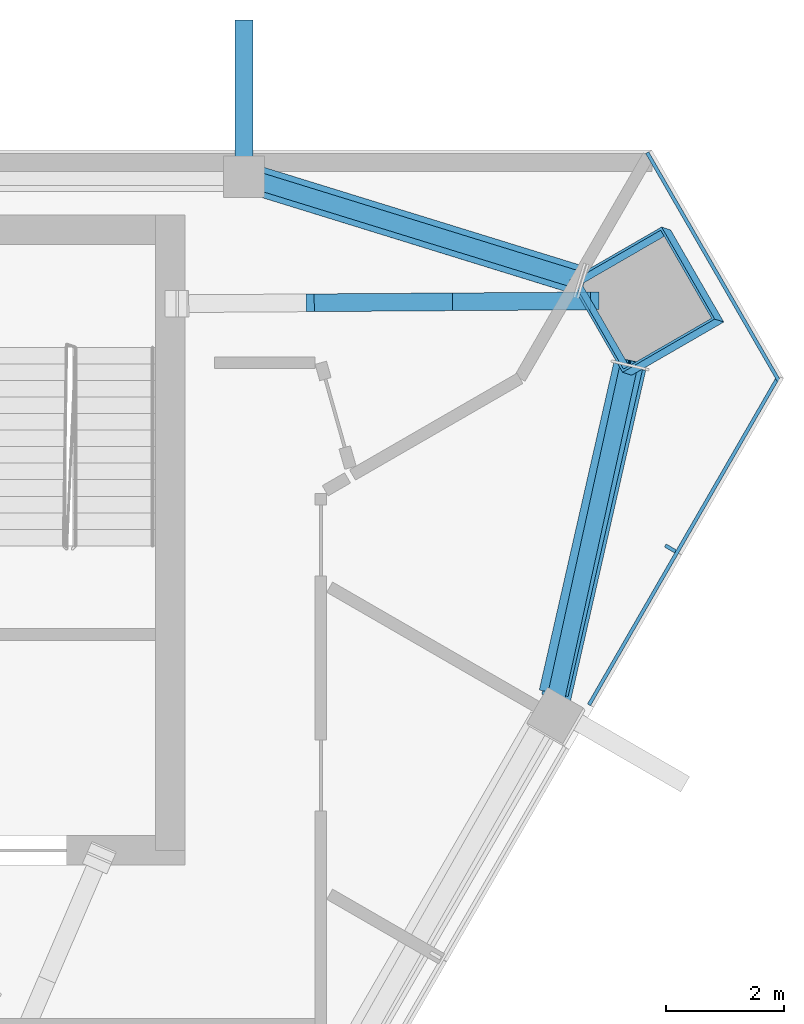
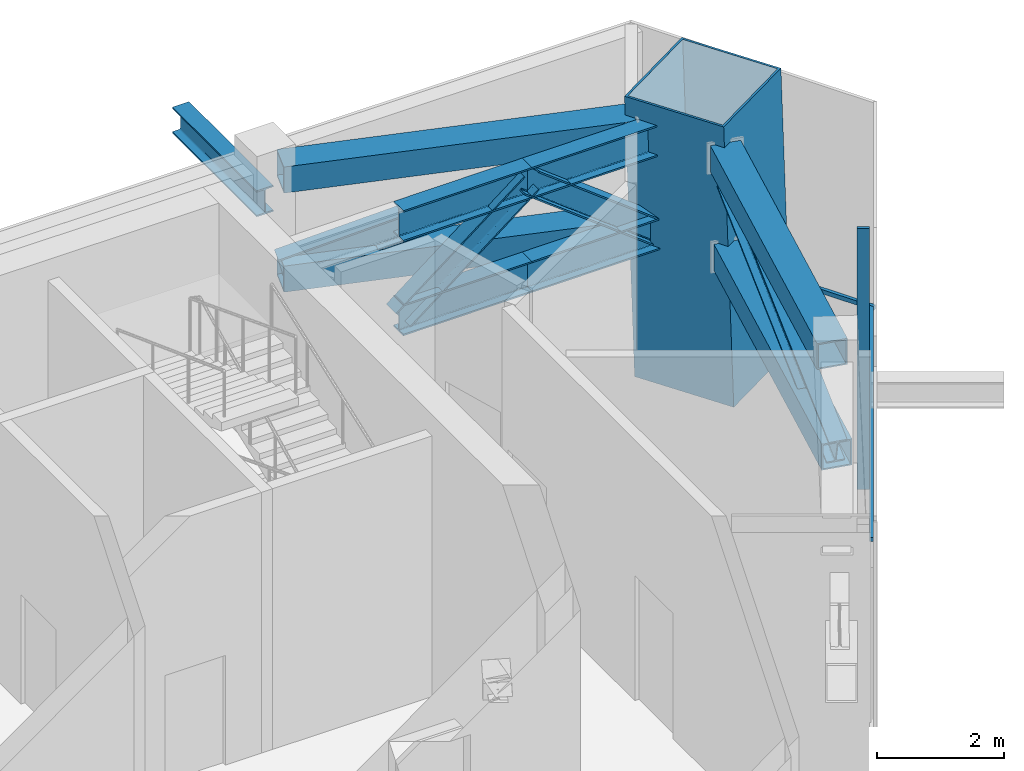
# One storey, part 6 of 13: 17 members, 2 elements without a shape of their own.
"""IFC4 building model written with IfcOpenShell, lengths in metres."""

from ifc_helpers import new_model, si_unit, direction, frame, origin, origin_2d, place, context, subcontext, project, spatial, rectangle, hollow_rectangle, i_section, extrude, material, layer, layer_set, material_profile, profile_set, type_object, element, aggregate, save


model = new_model("IFC4")

# Units and contexts
model_context = context("Model", 3, precision=1e-05, world=origin(), true_north=direction((0.0, 1.0)))
body_context = subcontext(model_context, "Body", "Model", "MODEL_VIEW")
ifc_project = project(units=[si_unit("LENGTHUNIT", "METRE"), si_unit("AREAUNIT", "SQUARE_METRE"), si_unit("VOLUMEUNIT", "CUBIC_METRE"), si_unit("PLANEANGLEUNIT", "RADIAN"), si_unit("MASSUNIT", "GRAM", prefix="KILO")], contexts=[model_context])

# Site, building, storey
site_placement = place(None, origin())
site = spatial("IfcSite", under=ifc_project, at=site_placement, CompositionType="ELEMENT")
building_placement = place(site_placement, origin())
building = spatial("IfcBuilding", under=site, at=building_placement, Name="Altiplano Prism Tower", CompositionType="ELEMENT")
storey_placement = place(building_placement, frame((0.0, 0.0, 286.0)))
storey = spatial("IfcBuildingStorey", under=building, at=storey_placement, Name="L74", CompositionType="ELEMENT", Elevation=286.0)

# Members
ifc_material_1 = material(Name="Steel S355", Category="steel")
ifc_material_profile_1 = material_profile(ifc_material_1, hollow_rectangle(XDim=0.5, YDim=0.5, WallThickness=0.02490234375, at=origin_2d()), Name="Belt chord Box 500x500x25")
ifc_profile_set_1 = profile_set([ifc_material_profile_1], Name="Steel S355")
member_type_1 = type_object("IfcMemberType", Name="Belt chord Box 500x500x25", PredefinedType="CHORD", material=ifc_profile_set_1)
member_1_placement = place(storey_placement, frame((103.783447265625, 95.73388671875, 2.85009765625), z_axis=(0.221805108497, 0.975091018236, 0.0), x_axis=(-0.975091018236, 0.221805108497, 0.0)))
element("IfcMember", 1, at=member_1_placement, inside=storey, type_object=member_type_1, Name="Belt truss R3 chord b1", PredefinedType="CHORD", context=body_context, shape_type="SweptSolid", body=[
    extrude(hollow_rectangle(XDim=0.5, YDim=0.5, WallThickness=0.02490234375, at=origin_2d()), origin(), (0.0, 0.0, 1.0), 5.734619140625),
])
member_2_placement = place(storey_placement, frame((103.7412109375, 95.806884765625, 4.75), z_axis=(0.2219128721, 0.975066498859, 0.0), x_axis=(-0.975066498859, 0.2219128721, 0.0)))
element("IfcMember", 2, at=member_2_placement, inside=storey, type_object=member_type_1, Name="Belt truss R3 chord t1", PredefinedType="CHORD", context=body_context, shape_type="SweptSolid", body=[
    extrude(hollow_rectangle(XDim=0.5, YDim=0.5, WallThickness=0.02490234375, at=origin_2d()), origin(), (0.0, 0.0, 1.0), 5.677978515625),
])
member_3_placement = place(storey_placement, frame((104.214111328125, 102.782958984375, 2.85009765625), z_axis=(-0.955358298298, 0.295449694318, 0.0), x_axis=(-0.295449694318, -0.955358298298, 0.0)))
element("IfcMember", 3, at=member_3_placement, inside=storey, type_object=member_type_1, Name="Belt truss R3 chord b2", PredefinedType="CHORD", context=body_context, shape_type="SweptSolid", body=[
    extrude(hollow_rectangle(XDim=0.5, YDim=0.5, WallThickness=0.02490234375, at=origin_2d()), origin(), (0.0, 0.0, 1.0), 5.73486328125),
])
member_4_placement = place(storey_placement, frame((104.16015625, 102.80029296875, 4.75), z_axis=(-0.955390509194, 0.295345517896, 0.0), x_axis=(-0.295345517896, -0.955390509194, 0.0)))
element("IfcMember", 4, at=member_4_placement, inside=storey, type_object=member_type_1, Name="Belt truss R3 chord t2", PredefinedType="CHORD", context=body_context, shape_type="SweptSolid", body=[
    extrude(hollow_rectangle(XDim=0.5, YDim=0.5, WallThickness=0.02490234375, at=origin_2d()), origin(), (0.0, 0.0, 1.0), 5.67822265625),
])
ifc_material_profile_2 = material_profile(ifc_material_1, i_section(OverallWidth=0.300048828125, OverallDepth=0.5, WebThickness=0.014404296875, FlangeThickness=0.028076171875, FilletRadius=0.027099609375, at=origin_2d()), Name="Belt diagonal HEB 500")
ifc_profile_set_2 = profile_set([ifc_material_profile_2], Name="Steel S355")
member_type_2 = type_object("IfcMemberType", Name="Belt diagonal HEB 500", PredefinedType="BRACE", material=ifc_profile_set_2)
member_5_placement = place(storey_placement, frame((103.781494140625, 95.734375, 2.91552734375), z_axis=(0.206855051745, 0.943908825306, 0.257385153177), x_axis=(-0.97681893336, 0.214067212413, 0.0)))
element("IfcMember", 5, at=member_5_placement, inside=storey, type_object=member_type_2, Name="Belt truss R3 diagonal 1", PredefinedType="BRACE", context=body_context, shape_type="SweptSolid", body=[
    extrude(i_section(OverallWidth=0.300048828125, OverallDepth=0.5, WebThickness=0.014404296875, FlangeThickness=0.028076171875, FilletRadius=0.027099609375, at=origin_2d()), origin(), (0.0, 0.0, 1.0), 5.9814453125),
])
member_6_placement = place(storey_placement, frame((104.1982421875, 102.78857421875, 4.45263671875), z_axis=(-0.922667039097, 0.28522023192, -0.259489796078), x_axis=(-0.295336741112, -0.955393222369, 0.0)))
element("IfcMember", 6, at=member_6_placement, inside=storey, type_object=member_type_2, Name="Belt truss R3 diagonal 2", PredefinedType="BRACE", context=body_context, shape_type="SweptSolid", body=[
    extrude(i_section(OverallWidth=0.300048828125, OverallDepth=0.5, WebThickness=0.014404296875, FlangeThickness=0.028076171875, FilletRadius=0.027099609375, at=origin_2d()), origin(), (0.0, 0.0, 1.0), 5.920654296875),
])
ifc_material_profile_3 = material_profile(ifc_material_1, i_section(OverallWidth=0.300048828125, OverallDepth=0.5, WebThickness=0.014404296875, FlangeThickness=0.028076171875, FilletRadius=0.027099609375, at=origin_2d()), Name="Brace bracket HEB 500")
ifc_profile_set_3 = profile_set([ifc_material_profile_3], Name="Steel S355")
member_type_3 = type_object("IfcMemberType", Name="Brace bracket HEB 500", PredefinedType="STRUT", material=ifc_profile_set_3)
member_7_placement = place(storey_placement, frame((98.5, 104.550048828125, 4.21533203125), z_axis=(0.0, 1.0, 0.0), x_axis=(-1.0, 0.0, 0.0)))
element("IfcMember", 7, at=member_7_placement, inside=storey, type_object=member_type_3, Name="Brace bracket 0.291.4", PredefinedType="STRUT", context=body_context, shape_type="SweptSolid", body=[
    extrude(i_section(OverallWidth=0.300048828125, OverallDepth=0.5, WebThickness=0.014404296875, FlangeThickness=0.028076171875, FilletRadius=0.027099609375, at=origin_2d()), origin(), (0.0, 0.0, 1.0), 2.64990234375),
])

# Curtain wall, members
ifc_material_2 = material(Name="Aluminium and glass", Category="aluminium")
ifc_layer = layer(ifc_material_2, 0.320068359375)
ifc_layer_set = layer_set([ifc_layer], Name="Aluminium and glass")
curtain_wall_type = type_object("IfcCurtainWallType", Name="CW6 louvred plant-floor curtain wall", PredefinedType="NOTDEFINED", material=ifc_layer_set)
curtain_wall_1_placement = place(storey_placement, origin())
curtain_wall_1 = element("IfcCurtainWall", 8, at=curtain_wall_1_placement, inside=storey, type_object=curtain_wall_type, Name="CW6 curtain wall south-east face L74", PredefinedType="NOTDEFINED")
ifc_material_3 = material(Name="Aluminium", Category="aluminium")
ifc_material_profile_4 = material_profile(ifc_material_3, rectangle(XDim=0.199951171875, YDim=0.06005859375, at=origin_2d()), Name="CW6 mullion 60 x 200")
ifc_profile_set_4 = profile_set([ifc_material_profile_4], Name="Aluminium")
member_type_4 = type_object("IfcMemberType", Name="CW6 mullion 60 x 200", PredefinedType="MULLION", material=ifc_profile_set_4)
member_8_placement = place(storey_placement, frame((105.716552734375, 98.257080078125, 0.0), z_axis=(0.0, 0.0, 1.0), x_axis=(-0.866025406813, 0.499999994755, 0.0)))
member_8 = element("IfcMember", 9, at=member_8_placement, type_object=member_type_4, Name="CW6 mullion", PredefinedType="MULLION", context=body_context, shape_type="SweptSolid", body=[
    extrude(rectangle(XDim=0.199951171875, YDim=0.06005859375, at=origin_2d()), origin(), (0.0, 0.0, 1.0), 5.0),
])
ifc_material_profile_5 = material_profile(ifc_material_3, rectangle(XDim=0.06005859375, YDim=0.080078125, at=origin_2d()), Name="CW6 transom 80 x 60")
ifc_profile_set_5 = profile_set([ifc_material_profile_5], Name="Aluminium")
member_type_5 = type_object("IfcMemberType", Name="CW6 transom 80 x 60", PredefinedType="USERDEFINED", material=ifc_profile_set_5)
member_9_placement = place(storey_placement, frame((104.3388671875, 95.611083984375, 1.10009765625), z_axis=(0.49998535512, 0.866033858845, 0.0), x_axis=(-0.866033858845, 0.49998535512, 0.0)))
member_9 = element("IfcMember", 10, at=member_9_placement, type_object=member_type_5, Name="CW6 transom", ObjectType="TRANSOM", PredefinedType="USERDEFINED", context=body_context, shape_type="SweptSolid", body=[
    extrude(rectangle(XDim=0.06005859375, YDim=0.080078125, at=origin_2d()), origin(), (0.0, 0.0, 1.0), 6.430908203125),
])
aggregate(curtain_wall_1, [member_8, member_9])

# Curtain wall, member
curtain_wall_2_placement = place(storey_placement, origin())
curtain_wall_2 = element("IfcCurtainWall", 11, at=curtain_wall_2_placement, inside=storey, type_object=curtain_wall_type, Name="CW6 curtain wall north-east chamfer L74", PredefinedType="NOTDEFINED")
member_10_placement = place(storey_placement, frame((107.55419921875, 101.09033203125, 1.10009765625), z_axis=(-0.49998134039, 0.866036176647, 0.0), x_axis=(-0.866036176647, -0.49998134039, 0.0)))
member_10 = element("IfcMember", 12, at=member_10_placement, type_object=member_type_5, Name="CW6 transom", ObjectType="TRANSOM", PredefinedType="USERDEFINED", context=body_context, shape_type="SweptSolid", body=[
    extrude(rectangle(XDim=0.06005859375, YDim=0.080078125, at=origin_2d()), origin(), (0.0, 0.0, 1.0), 4.462646484375),
])
aggregate(curtain_wall_2, [member_10])

# Members
ifc_material_4 = material(Name="Steel S460", Category="steel")
ifc_material_profile_6 = material_profile(ifc_material_4, hollow_rectangle(XDim=1.800048828125, YDim=1.800048828125, WallThickness=0.0400390625, at=origin_2d()), Name="Mega column tube 1800")
ifc_profile_set_6 = profile_set([ifc_material_profile_6], Name="Steel S460")
member_type_6 = type_object("IfcMemberType", Name="Mega column tube 1800", PredefinedType="POST", material=ifc_profile_set_6)
member_11_placement = place(storey_placement, frame((105.390869140625, 102.417724609375, 0.0), z_axis=(-0.028425663377, 0.009264325902, 0.999552977049), x_axis=(0.499715911209, -0.86590388422, 0.02223671238)))
element("IfcMember", 13, at=member_11_placement, inside=storey, type_object=member_type_6, Name="Mega column tube M2 L74", PredefinedType="POST", context=body_context, shape_type="SweptSolid", body=[
    extrude(hollow_rectangle(XDim=1.800048828125, YDim=1.800048828125, WallThickness=0.0400390625, at=origin_2d()), origin(), (0.0, 0.0, 1.0), 5.40234375),
])
ifc_material_profile_7 = material_profile(ifc_material_1, i_section(OverallWidth=0.300048828125, OverallDepth=0.60009765625, WebThickness=0.015380859375, FlangeThickness=0.030029296875, FilletRadius=0.027099609375, at=origin_2d()), Name="Outrigger chord HEB 600")
ifc_profile_set_7 = profile_set([ifc_material_profile_7], Name="Steel S355")
member_type_7 = type_object("IfcMemberType", Name="Outrigger chord HEB 600", PredefinedType="CHORD", material=ifc_profile_set_7)
for number, where, z_axis, x_axis, name in (
    (14, (104.36767578125, 102.44677734375, 2.89990234375), (-0.999976274207, -0.006888470316, 0.0), (0.006888470316, -0.999976274207, 0.0), "Outrigger truss R3 2 chord b1"),
    (15, (104.36767578125, 102.44677734375, 4.699951171875), (-0.999976274207, -0.006888470316, 0.0), (0.006888470316, -0.999976274207, 0.0), "Outrigger truss R3 2 chord t1"),
):
    element("IfcMember", number, at=place(storey_placement, frame(where, z_axis=z_axis, x_axis=x_axis)), inside=storey, type_object=member_type_7, Name=name, PredefinedType="CHORD", context=body_context, shape_type="SweptSolid", body=[
        extrude(i_section(OverallWidth=0.300048828125, OverallDepth=0.60009765625, WebThickness=0.015380859375, FlangeThickness=0.030029296875, FilletRadius=0.027099609375, at=origin_2d()), origin(), (0.0, 0.0, 1.0), 2.339111328125),
    ])
for number, where, z_axis, x_axis, name in (
    (16, (102.028564453125, 102.4306640625, 2.89990234375), (-0.999976992502, -0.006783396422, 0.0), (0.006783396422, -0.999976992502, 0.0), "Outrigger truss R3 2 chord b2"),
    (17, (102.028564453125, 102.4306640625, 4.699951171875), (-0.999976992502, -0.006783396422, 0.0), (0.006783396422, -0.999976992502, 0.0), "Outrigger truss R3 2 chord t2"),
):
    element("IfcMember", number, at=place(storey_placement, frame(where, z_axis=z_axis, x_axis=x_axis)), inside=storey, type_object=member_type_7, Name=name, PredefinedType="CHORD", context=body_context, shape_type="SweptSolid", body=[
        extrude(i_section(OverallWidth=0.300048828125, OverallDepth=0.60009765625, WebThickness=0.015380859375, FlangeThickness=0.030029296875, FilletRadius=0.027099609375, at=origin_2d()), origin(), (0.0, 0.0, 1.0), 2.33935546875),
    ])
ifc_material_profile_8 = material_profile(ifc_material_1, i_section(OverallWidth=0.300048828125, OverallDepth=0.449951171875, WebThickness=0.013916015625, FlangeThickness=0.02587890625, FilletRadius=0.027099609375, at=origin_2d()), Name="Outrigger diagonal HEB 450")
ifc_profile_set_8 = profile_set([ifc_material_profile_8], Name="Steel S355")
member_type_8 = type_object("IfcMemberType", Name="Outrigger diagonal HEB 450", PredefinedType="BRACE", material=ifc_profile_set_8)
for number, where, z_axis, x_axis, name in (
    (18, (104.36767578125, 102.44677734375, 2.89990234375), (-0.792492241152, -0.005459188802, 0.609857561216), (0.006888470316, -0.999976274207, 0.0), "Outrigger truss R3 2 diagonal 1"),
    (19, (102.028564453125, 102.4306640625, 4.699951171875), (-0.792523359576, -0.005376123813, -0.609817859544), (0.006783396422, -0.999976992502, 0.0), "Outrigger truss R3 2 diagonal 2"),
):
    element("IfcMember", number, at=place(storey_placement, frame(where, z_axis=z_axis, x_axis=x_axis)), inside=storey, type_object=member_type_8, Name=name, PredefinedType="BRACE", context=body_context, shape_type="SweptSolid", body=[
        extrude(i_section(OverallWidth=0.300048828125, OverallDepth=0.449951171875, WebThickness=0.013916015625, FlangeThickness=0.02587890625, FilletRadius=0.027099609375, at=origin_2d()), origin(), (0.0, 0.0, 1.0), 2.95166015625),
    ])

save(model, "model.ifc")
